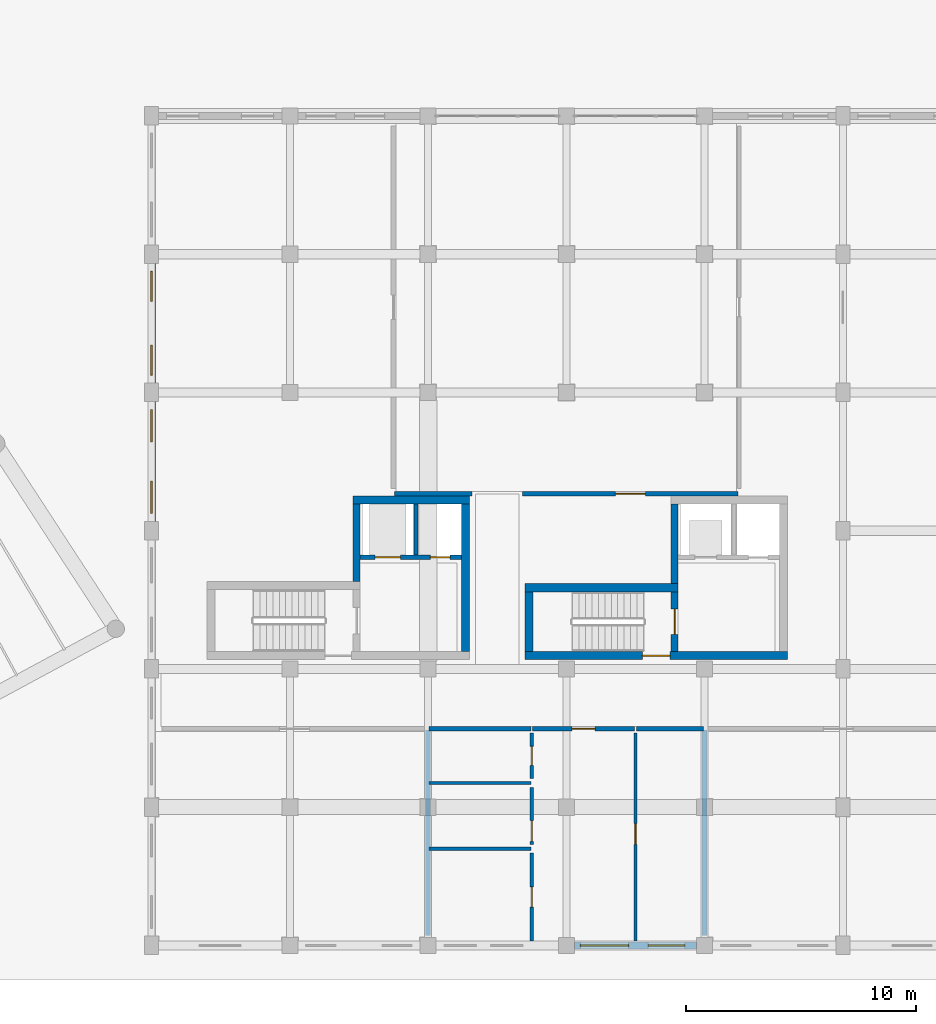
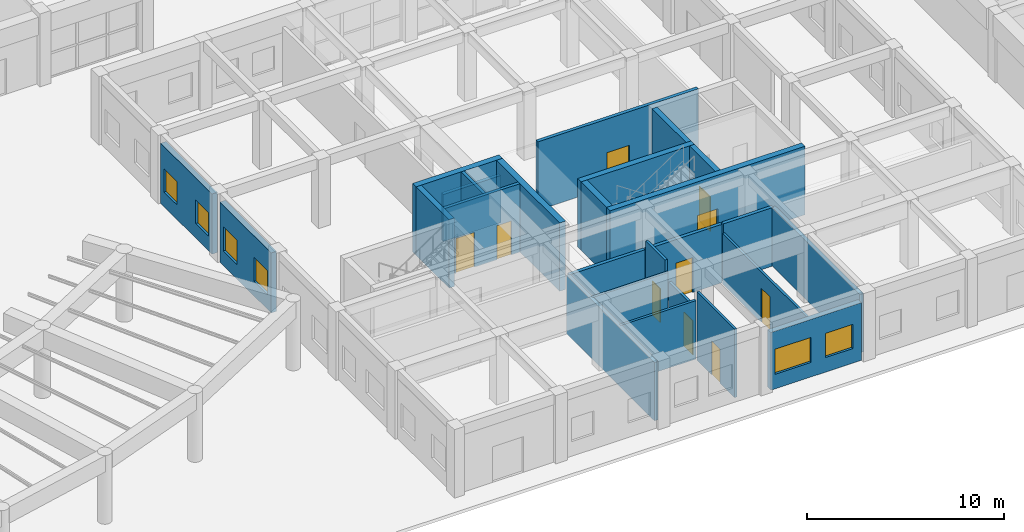
# One storey, part 51 of 76: 26 walls, 10 doors, 6 windows, 16 openings.
"""IFC4 building model written with IfcOpenShell, lengths in metres."""

from ifc_helpers import new_model, si_unit, direction, frame, frame_2d, origin, place, context, subcontext, project, spatial, rectangle, extrude, material, layer, layer_set, type_object, element, fill, save


model = new_model("IFC4")

# Units and contexts
model_context = context("Model", 3, precision=1e-05, world=origin(), true_north=direction((0.0, 1.0)))
body_context = subcontext(model_context, "Body", "Model", "MODEL_VIEW")
ifc_project = project(units=[si_unit("LENGTHUNIT", "METRE"), si_unit("AREAUNIT", "SQUARE_METRE"), si_unit("VOLUMEUNIT", "CUBIC_METRE"), si_unit("PLANEANGLEUNIT", "RADIAN"), si_unit("MASSUNIT", "GRAM", prefix="KILO"), si_unit("POWERUNIT", "WATT"), si_unit("THERMODYNAMICTEMPERATUREUNIT", "KELVIN")], contexts=[model_context])

# Site, building, storey
site_placement = place(None, origin())
site = spatial("IfcSite", under=ifc_project, at=site_placement, CompositionType="ELEMENT")
building_placement = place(site_placement, origin())
building = spatial("IfcBuilding", under=site, at=building_placement, Name="Ruvembo Vaulted Housing Court", CompositionType="ELEMENT")
storey_placement = place(building_placement, origin())
storey = spatial("IfcBuildingStorey", under=building, at=storey_placement, Name="L00", CompositionType="ELEMENT", Elevation=0.0)

# Wall
ifc_material_1 = material(Name="Concrete C35/45", Category="concrete")
ifc_layer_1 = layer(ifc_material_1, 0.300048828125, Name="Concrete C35/45")
ifc_layer_set_1 = layer_set([ifc_layer_1], Name="Concrete C35/45")
wall_type_1 = type_object("IfcWallType", Name="WL-CORE-300", PredefinedType="SHEAR", material=ifc_layer_set_1)
wall_1_placement = place(storey_placement, frame((110.89990234375, 15.800048828125, 0.0), z_axis=(0.0, 0.0, 1.0), x_axis=(0.0, 1.0, 0.0)))
element("IfcWall", 1, at=wall_1_placement, inside=storey, type_object=wall_type_1, Name="Core C1 L00 Upper West Shear Wall", PredefinedType="SHEAR", context=body_context, shape_type="SweptSolid", body=[
    extrude(rectangle(XDim=3.349853515625, YDim=0.300048828125, at=frame_2d((1.6748046875, 0.0))), origin(), (0.0, 0.0, 1.0), 4.22998046875),
])

# Wall, opening, door
wall_2_placement = place(storey_placement, frame((124.699951171875, 12.75, 0.0), z_axis=(0.0, 0.0, 1.0), x_axis=(0.0, 1.0, 0.0)))
wall_2 = element("IfcWall", 2, at=wall_2_placement, inside=storey, type_object=wall_type_1, Name="Core C2 L00 Stair-Lobby Shear Wall", PredefinedType="SHEAR", context=body_context, shape_type="SweptSolid", body=[
    extrude(rectangle(XDim=2.60009765625, YDim=0.300048828125, at=frame_2d((1.300048828125, 0.0))), origin(), (0.0, 0.0, 1.0), 4.22998046875),
])
opening_1_placement = place(wall_2_placement, frame((0.75, 0.0, 0.0)))
opening_1 = element("IfcOpeningElement", 3, at=opening_1_placement, cuts=wall_2, Name="Opening SD2", PredefinedType="OPENING", context=body_context, shape_type="SweptSolid", body=[
    extrude(rectangle(XDim=1.10009765625, YDim=2.14990234375, at=frame_2d((0.550048828125, 1.074951171875))), frame((0.0, 0.159912109375, 0.0), z_axis=(0.0, -1.0, 0.0), x_axis=(1.0, 0.0, 0.0)), (0.0, 0.0, 1.0), 0.320068359375),
])
ifc_material_2 = material(Name="Galvanised Painted Steel", Category="steel")
door_type_1 = type_object("IfcDoorType", Name="DR-STAIR-1100x2150", OperationType="NOTDEFINED", PredefinedType="DOOR", material=ifc_material_2)
door_1_placement = place(opening_1_placement, origin())
door_1 = element("IfcDoor", 4, at=door_1_placement, inside=storey, type_object=door_type_1, Name="Stair ST-C2 L00 Fire Door", OperationType="SINGLE_SWING_RIGHT", OverallHeight=2.14990234375, OverallWidth=1.10009765625, PredefinedType="DOOR", context=body_context, shape_type="SweptSolid", body=[
    extrude(rectangle(XDim=1.10009765625, YDim=2.14990234375, at=frame_2d((0.550048828125, 1.074951171875))), frame((0.0, 0.02490234375, 0.0), z_axis=(0.0, -1.0, 0.0), x_axis=(1.0, 0.0, 0.0)), (0.0, 0.0, 1.0), 0.050048828125),
])
fill(opening_1, door_1)

# Walls
wall_3_placement = place(storey_placement, frame((124.699951171875, 15.699951171875, 0.0), z_axis=(0.0, 0.0, 1.0), x_axis=(0.0, 1.0, 0.0)))
element("IfcWall", 5, at=wall_3_placement, inside=storey, type_object=wall_type_1, Name="Core C2 L00 Upper West Shear Wall", PredefinedType="SHEAR", context=body_context, shape_type="SweptSolid", body=[
    extrude(rectangle(XDim=3.449951171875, YDim=0.300048828125, at=frame_2d((1.72509765625, 0.0))), origin(), (0.0, 0.0, 1.0), 4.22998046875),
])
ifc_layer_2 = layer(ifc_material_1, 0.35009765625, Name="Concrete C35/45")
ifc_layer_set_2 = layer_set([ifc_layer_2], Name="Concrete C35/45")
wall_type_2 = type_object("IfcWallType", Name="WL-CORE-350", PredefinedType="SHEAR", material=ifc_layer_set_2)
wall_4_placement = place(storey_placement, frame((115.800048828125, 19.324951171875, 0.0), z_axis=(0.0, 0.0, 1.0), x_axis=(-1.0, 0.0, 0.0)))
element("IfcWall", 6, at=wall_4_placement, inside=storey, type_object=wall_type_2, Name="Core C1 L00 North Shear Wall", PredefinedType="SHEAR", context=body_context, shape_type="SweptSolid", body=[
    extrude(rectangle(XDim=5.050048828125, YDim=0.35009765625, at=frame_2d((2.52490234375, 0.0))), origin(), (0.0, 0.0, 1.0), 4.22998046875),
])
wall_5_placement = place(storey_placement, frame((115.625, 12.75, 0.0), z_axis=(0.0, 0.0, 1.0), x_axis=(0.0, 1.0, 0.0)))
element("IfcWall", 7, at=wall_5_placement, inside=storey, type_object=wall_type_2, Name="Core C1 L00 East Shear Wall", PredefinedType="SHEAR", context=body_context, shape_type="SweptSolid", body=[
    extrude(rectangle(XDim=6.39990234375, YDim=0.35009765625, at=frame_2d((3.199951171875, 0.0))), origin(), (0.0, 0.0, 1.0), 4.22998046875),
])

# Wall, opening, door
wall_6_placement = place(storey_placement, frame((118.199951171875, 12.574951171875, 0.0), z_axis=(0.0, 0.0, 1.0), x_axis=(1.0, 0.0, 0.0)))
wall_6 = element("IfcWall", 8, at=wall_6_placement, inside=storey, type_object=wall_type_2, Name="Core C2 L00 South Shear Wall", PredefinedType="SHEAR", context=body_context, shape_type="SweptSolid", body=[
    extrude(rectangle(XDim=11.400146484375, YDim=0.35009765625, at=frame_2d((5.7001953125, 0.0))), origin(), (0.0, 0.0, 1.0), 4.22998046875),
])
opening_2_placement = place(wall_6_placement, frame((5.10009765625, 0.0, 0.0)))
opening_2 = element("IfcOpeningElement", 9, at=opening_2_placement, cuts=wall_6, Name="Opening LD3", PredefinedType="OPENING", context=body_context, shape_type="SweptSolid", body=[
    extrude(rectangle(XDim=1.199951171875, YDim=2.14990234375, at=frame_2d((0.60009765625, 1.074951171875))), frame((0.0, 0.18505859375, 0.0), z_axis=(0.0, -1.0, 0.0), x_axis=(1.0, 0.0, 0.0)), (0.0, 0.0, 1.0), 0.3701171875),
])
door_type_2 = type_object("IfcDoorType", Name="DR-LOB-1200x2150", OperationType="NOTDEFINED", PredefinedType="DOOR", material=ifc_material_2)
door_2_placement = place(opening_2_placement, origin())
door_2 = element("IfcDoor", 10, at=door_2_placement, inside=storey, type_object=door_type_2, Name="Core C2 L00 Lobby Fire Door", OperationType="SINGLE_SWING_LEFT", OverallHeight=2.14990234375, OverallWidth=1.199951171875, PredefinedType="DOOR", context=body_context, shape_type="SweptSolid", body=[
    extrude(rectangle(XDim=1.199951171875, YDim=2.14990234375, at=frame_2d((0.60009765625, 1.074951171875))), frame((0.0, 0.02490234375, 0.0), z_axis=(0.0, -1.0, 0.0), x_axis=(1.0, 0.0, 0.0)), (0.0, 0.0, 1.0), 0.050048828125),
])
fill(opening_2, door_2)

# Walls
wall_7_placement = place(storey_placement, frame((124.85009765625, 15.52490234375, 0.0), z_axis=(0.0, 0.0, 1.0), x_axis=(-1.0, 0.0, 0.0)))
element("IfcWall", 11, at=wall_7_placement, inside=storey, type_object=wall_type_2, Name="Core C2 L00 Stair North Shear Wall", PredefinedType="SHEAR", context=body_context, shape_type="SweptSolid", body=[
    extrude(rectangle(XDim=6.650146484375, YDim=0.35009765625, at=frame_2d((3.3251953125, 0.0))), origin(), (0.0, 0.0, 1.0), 4.22998046875),
])
wall_8_placement = place(storey_placement, frame((118.375, 15.35009765625, 0.0), z_axis=(0.0, 0.0, 1.0), x_axis=(0.0, -1.0, 0.0)))
element("IfcWall", 12, at=wall_8_placement, inside=storey, type_object=wall_type_2, Name="Core C2 L00 Stair West Shear Wall", PredefinedType="SHEAR", context=body_context, shape_type="SweptSolid", body=[
    extrude(rectangle(XDim=2.60009765625, YDim=0.35009765625, at=frame_2d((1.300048828125, 0.0))), origin(), (0.0, 0.0, 1.0), 4.22998046875),
])
ifc_material_3 = material(Name="Concrete Blockwork 200", Category="masonry")
ifc_layer_3 = layer(ifc_material_3, 0.199951171875, Name="Concrete Blockwork 200")
ifc_layer_set_3 = layer_set([ifc_layer_3], Name="Concrete Blockwork 200")
wall_type_3 = type_object("IfcWallType", Name="WL-CORR-200", PredefinedType="SOLIDWALL", material=ifc_layer_set_3)
wall_9_placement = place(storey_placement, frame((112.5400390625, 19.60009765625, 0.0), z_axis=(0.0, 0.0, 1.0), x_axis=(1.0, 0.0, 0.0)))
element("IfcWall", 13, at=wall_9_placement, inside=storey, type_object=wall_type_3, Name="L00 Lobby Wall W WL-INT-L00-00123", PredefinedType="SOLIDWALL", context=body_context, shape_type="SweptSolid", body=[
    extrude(rectangle(XDim=3.369873046875, YDim=0.199951171875, at=frame_2d((1.68505859375, 0.0))), origin(), (0.0, 0.0, 1.0), 2.912109375),
])

# Wall, opening, door
wall_10_placement = place(storey_placement, frame((118.090087890625, 19.60009765625, 0.0), z_axis=(0.0, 0.0, 1.0), x_axis=(1.0, 0.0, 0.0)))
wall_10 = element("IfcWall", 14, at=wall_10_placement, inside=storey, type_object=wall_type_3, Name="L00 Block C Lobby WL-INT-L00-00124", PredefinedType="SOLIDWALL", context=body_context, shape_type="SweptSolid", body=[
    extrude(rectangle(XDim=9.369873046875, YDim=0.199951171875, at=frame_2d((4.68505859375, 0.0))), origin(), (0.0, 0.0, 1.0), 4.22998046875),
])
opening_3_placement = place(wall_10_placement, frame((4.034912109375, 0.0, 0.0)))
opening_3 = element("IfcOpeningElement", 15, at=opening_3_placement, cuts=wall_10, Name="Opening CD2", PredefinedType="OPENING", context=body_context, shape_type="SweptSolid", body=[
    extrude(rectangle(XDim=1.300048828125, YDim=2.14990234375, at=frame_2d((0.64990234375, 1.074951171875))), frame((0.0, 0.10986328125, 0.0), z_axis=(0.0, -1.0, 0.0), x_axis=(1.0, 0.0, 0.0)), (0.0, 0.0, 1.0), 0.219970703125),
])
ifc_material_4 = material(Name="FSC Hardwood and Engineered Timber", Category="wood")
door_type_3 = type_object("IfcDoorType", Name="DR-CIVIC-1300x2150", OperationType="NOTDEFINED", PredefinedType="DOOR", material=ifc_material_4)
door_3_placement = place(opening_3_placement, origin())
door_3 = element("IfcDoor", 16, at=door_3_placement, inside=storey, type_object=door_type_3, Name="L00 Block C Lobby Door DR-INT-L00-00055", OperationType="SINGLE_SWING_LEFT", OverallHeight=2.14990234375, OverallWidth=1.300048828125, PredefinedType="DOOR", context=body_context, shape_type="SweptSolid", body=[
    extrude(rectangle(XDim=1.300048828125, YDim=2.14990234375, at=frame_2d((0.64990234375, 1.074951171875))), frame((0.0, 0.02490234375, 0.0), z_axis=(0.0, -1.0, 0.0), x_axis=(1.0, 0.0, 0.0)), (0.0, 0.0, 1.0), 0.050048828125),
])
fill(opening_3, door_3)

# Wall
wall_11_placement = place(storey_placement, frame((114.0400390625, 9.39990234375, 0.0), z_axis=(0.0, 0.0, 1.0), x_axis=(1.0, 0.0, 0.0)))
element("IfcWall", 17, at=wall_11_placement, inside=storey, type_object=wall_type_3, Name="L00 Flat C01 Corridor Wall WL-INT-L00-00130", PredefinedType="SOLIDWALL", context=body_context, shape_type="SweptSolid", body=[
    extrude(rectangle(XDim=4.419921875, YDim=0.199951171875, at=frame_2d((2.2099609375, 0.0))), origin(), (0.0, 0.0, 1.0), 3.612060546875),
])

# Wall, opening, door
wall_12_placement = place(storey_placement, frame((118.5400390625, 9.39990234375, 0.0), z_axis=(0.0, 0.0, 1.0), x_axis=(1.0, 0.0, 0.0)))
wall_12 = element("IfcWall", 18, at=wall_12_placement, inside=storey, type_object=wall_type_3, Name="L00 Flat C01 Entrance WL-INT-L00-00131", PredefinedType="SOLIDWALL", context=body_context, shape_type="SweptSolid", body=[
    extrude(rectangle(XDim=4.419921875, YDim=0.199951171875, at=frame_2d((2.2099609375, 0.0))), origin(), (0.0, 0.0, 1.0), 3.612060546875),
])
opening_4_placement = place(wall_12_placement, frame((1.7099609375, 0.0, 0.0)))
opening_4 = element("IfcOpeningElement", 19, at=opening_4_placement, cuts=wall_12, Name="Opening FD1", PredefinedType="OPENING", context=body_context, shape_type="SweptSolid", body=[
    extrude(rectangle(XDim=1.0, YDim=2.14990234375, at=frame_2d((0.5, 1.074951171875))), frame((0.0, 0.10986328125, 0.0), z_axis=(0.0, -1.0, 0.0), x_axis=(1.0, 0.0, 0.0)), (0.0, 0.0, 1.0), 0.219970703125),
])
door_type_4 = type_object("IfcDoorType", Name="DR-FLAT-1000x2150", OperationType="NOTDEFINED", PredefinedType="DOOR", material=ifc_material_4)
door_4_placement = place(opening_4_placement, origin())
door_4 = element("IfcDoor", 20, at=door_4_placement, inside=storey, type_object=door_type_4, Name="L00 Flat C01 Entrance Door DR-INT-L00-00060", OperationType="SINGLE_SWING_RIGHT", OverallHeight=2.14990234375, OverallWidth=1.0, PredefinedType="DOOR", context=body_context, shape_type="SweptSolid", body=[
    extrude(rectangle(XDim=1.0, YDim=2.14990234375, at=frame_2d((0.5, 1.074951171875))), frame((0.0, 0.02490234375, 0.0), z_axis=(0.0, -1.0, 0.0), x_axis=(1.0, 0.0, 0.0)), (0.0, 0.0, 1.0), 0.050048828125),
])
fill(opening_4, door_4)

# Walls
wall_13_placement = place(storey_placement, frame((123.0400390625, 9.39990234375, 0.0), z_axis=(0.0, 0.0, 1.0), x_axis=(1.0, 0.0, 0.0)))
element("IfcWall", 21, at=wall_13_placement, inside=storey, type_object=wall_type_3, Name="L00 Flat C01 Corridor Wall 2 WL-INT-L00-00137", PredefinedType="SOLIDWALL", context=body_context, shape_type="SweptSolid", body=[
    extrude(rectangle(XDim=2.919921875, YDim=0.199951171875, at=frame_2d((1.4599609375, 0.0))), origin(), (0.0, 0.0, 1.0), 3.612060546875),
])
ifc_material_5 = material(Name="Acoustic Masonry Demising 220", Category="masonry")
ifc_layer_4 = layer(ifc_material_5, 0.219970703125, Name="Acoustic Masonry Demising 220")
ifc_layer_set_4 = layer_set([ifc_layer_4], Name="Acoustic Masonry Demising 220")
wall_type_4 = type_object("IfcWallType", Name="WL-DEM-200", PredefinedType="SOLIDWALL", material=ifc_layer_set_4)
for number, where, z_axis, x_axis, name in (
    (22, (114.0, 0.43994140625, 0.0), (0.0, 0.0, 1.0), (0.0, 1.0, 0.0), "L00 Demising WL-INT-L00-00129"),
    (23, (126.0, 0.43994140625, 0.0), (0.0, 0.0, 1.0), (0.0, 1.0, 0.0), "L00 Demising WL-INT-L00-00139"),
):
    element("IfcWall", number, at=place(storey_placement, frame(where, z_axis=z_axis, x_axis=x_axis)), inside=storey, type_object=wall_type_4, Name=name, PredefinedType="SOLIDWALL", context=body_context, shape_type="SweptSolid", body=[
        extrude(rectangle(XDim=8.920166015625, YDim=0.219970703125, at=frame_2d((4.4599609375, 0.0))), origin(), (0.0, 0.0, 1.0), 3.612060546875),
    ])

# Wall, openings, windows
ifc_material_6 = material(Name="Rendered Masonry 320", Category="masonry")
ifc_layer_5 = layer(ifc_material_6, 0.320068359375, Name="Rendered Masonry 320")
ifc_layer_set_5 = layer_set([ifc_layer_5], Name="Rendered Masonry 320")
wall_type_5 = type_object("IfcWallType", Name="WL-EXT-320", PredefinedType="STANDARD", material=ifc_layer_set_5)
wall_14_placement = place(storey_placement, frame((120.35009765625, 0.0, 0.0), z_axis=(0.0, 0.0, 1.0), x_axis=(1.0, 0.0, 0.0)))
wall_14 = element("IfcWall", 24, at=wall_14_placement, inside=storey, type_object=wall_type_5, Name="Block C L00 Exterior Wall STREET #4", PredefinedType="STANDARD", context=body_context, shape_type="SweptSolid", body=[
    extrude(rectangle(XDim=5.2998046875, YDim=0.320068359375, at=frame_2d((2.64990234375, 0.0))), origin(), (0.0, 0.0, 1.0), 3.56201171875),
])
opening_5_placement = place(wall_14_placement, frame((0.2548828125, 0.0, 0.89990234375)))
opening_5 = element("IfcOpeningElement", 25, at=opening_5_placement, cuts=wall_14, Name="Opening W25", PredefinedType="OPENING", context=body_context, shape_type="SweptSolid", body=[
    extrude(rectangle(XDim=2.10009765625, YDim=1.550048828125, at=frame_2d((1.050048828125, 0.77490234375))), frame((0.0, 0.169921875, 0.0), z_axis=(0.0, -1.0, 0.0), x_axis=(1.0, 0.0, 0.0)), (0.0, 0.0, 1.0), 0.340087890625),
])
opening_6_placement = place(wall_14_placement, frame((3.195068359375, 0.0, 0.89990234375)))
opening_6 = element("IfcOpeningElement", 26, at=opening_6_placement, cuts=wall_14, Name="Opening W20", PredefinedType="OPENING", context=body_context, shape_type="SweptSolid", body=[
    extrude(rectangle(XDim=1.60009765625, YDim=1.5, at=frame_2d((0.800048828125, 0.75))), frame((0.0, 0.169921875, 0.0), z_axis=(0.0, -1.0, 0.0), x_axis=(1.0, 0.0, 0.0)), (0.0, 0.0, 1.0), 0.340087890625),
])
ifc_material_7 = material(Name="Double Solar-Control Glazing in Aluminium Frame", Category="aluminium")
window_type_1 = type_object("IfcWindowType", Name="WIN-1600x1500", PartitioningType="SINGLE_PANEL", PredefinedType="WINDOW", material=ifc_material_7)
window_1_placement = place(opening_6_placement, origin())
window_1 = element("IfcWindow", 27, at=window_1_placement, inside=storey, type_object=window_type_1, Name="Block C L00 Window #1074", OverallHeight=1.5, OverallWidth=1.60009765625, PartitioningType="SINGLE_PANEL", PredefinedType="WINDOW", context=body_context, shape_type="SweptSolid", body=[
    extrude(rectangle(XDim=1.60009765625, YDim=1.5, at=frame_2d((0.800048828125, 0.75))), frame((0.0, 0.030029296875, 0.0), z_axis=(0.0, -1.0, 0.0), x_axis=(1.0, 0.0, 0.0)), (0.0, 0.0, 1.0), 0.06005859375),
])
fill(opening_6, window_1)
window_type_2 = type_object("IfcWindowType", Name="WIN-2100x1550", PartitioningType="SINGLE_PANEL", PredefinedType="WINDOW", material=ifc_material_7)
window_2_placement = place(opening_5_placement, origin())
window_2 = element("IfcWindow", 28, at=window_2_placement, inside=storey, type_object=window_type_2, Name="Block C L00 Window #1073", OverallHeight=1.550048828125, OverallWidth=2.10009765625, PartitioningType="SINGLE_PANEL", PredefinedType="WINDOW", context=body_context, shape_type="SweptSolid", body=[
    extrude(rectangle(XDim=2.10009765625, YDim=1.550048828125, at=frame_2d((1.050048828125, 0.77490234375))), frame((0.0, 0.030029296875, 0.0), z_axis=(0.0, -1.0, 0.0), x_axis=(1.0, 0.0, 0.0)), (0.0, 0.0, 1.0), 0.06005859375),
])
fill(opening_5, window_2)

wall_15_placement = place(storey_placement, frame((102.0, 29.60009765625, 0.0), z_axis=(0.0, 0.0, 1.0), x_axis=(0.0, -1.0, 0.0)))
wall_15 = element("IfcWall", 29, at=wall_15_placement, inside=storey, type_object=wall_type_5, Name="Block C L00 Exterior Wall WEST #2", PredefinedType="STANDARD", context=body_context, shape_type="SweptSolid", body=[
    extrude(rectangle(XDim=5.2001953125, YDim=0.320068359375, at=frame_2d((2.60009765625, 0.0))), origin(), (0.0, 0.0, 1.0), 3.7119140625),
])
opening_7_placement = place(wall_15_placement, frame((0.35009765625, 0.0, 0.89990234375)))
opening_7 = element("IfcOpeningElement", 30, at=opening_7_placement, cuts=wall_15, Name="Opening W15", PredefinedType="OPENING", context=body_context, shape_type="SweptSolid", body=[
    extrude(rectangle(XDim=1.300048828125, YDim=1.449951171875, at=frame_2d((0.64990234375, 0.72509765625))), frame((0.0, 0.169921875, 0.0), z_axis=(0.0, -1.0, 0.0), x_axis=(1.0, 0.0, 0.0)), (0.0, 0.0, 1.0), 0.340087890625),
])
opening_8_placement = place(wall_15_placement, frame((3.550048828125, 0.0, 0.89990234375)))
opening_8 = element("IfcOpeningElement", 31, at=opening_8_placement, cuts=wall_15, Name="Opening W15", PredefinedType="OPENING", context=body_context, shape_type="SweptSolid", body=[
    extrude(rectangle(XDim=1.300048828125, YDim=1.449951171875, at=frame_2d((0.64990234375, 0.72509765625))), frame((0.0, 0.169921875, 0.0), z_axis=(0.0, -1.0, 0.0), x_axis=(1.0, 0.0, 0.0)), (0.0, 0.0, 1.0), 0.340087890625),
])
window_type_3 = type_object("IfcWindowType", Name="WIN-1300x1450", PartitioningType="SINGLE_PANEL", PredefinedType="WINDOW", material=ifc_material_7)
window_3_placement = place(opening_7_placement, origin())
window_3 = element("IfcWindow", 32, at=window_3_placement, inside=storey, type_object=window_type_3, Name="Block C L00 Window #1099", OverallHeight=1.449951171875, OverallWidth=1.300048828125, PartitioningType="SINGLE_PANEL", PredefinedType="WINDOW", context=body_context, shape_type="SweptSolid", body=[
    extrude(rectangle(XDim=1.300048828125, YDim=1.449951171875, at=frame_2d((0.64990234375, 0.72509765625))), frame((0.0, 0.030029296875, 0.0), z_axis=(0.0, -1.0, 0.0), x_axis=(1.0, 0.0, 0.0)), (0.0, 0.0, 1.0), 0.06005859375),
])
fill(opening_7, window_3)
window_4_placement = place(opening_8_placement, origin())
window_4 = element("IfcWindow", 33, at=window_4_placement, inside=storey, type_object=window_type_3, Name="Block C L00 Window #1100", OverallHeight=1.449951171875, OverallWidth=1.300048828125, PartitioningType="SINGLE_PANEL", PredefinedType="WINDOW", context=body_context, shape_type="SweptSolid", body=[
    extrude(rectangle(XDim=1.300048828125, YDim=1.449951171875, at=frame_2d((0.64990234375, 0.72509765625))), frame((0.0, 0.030029296875, 0.0), z_axis=(0.0, -1.0, 0.0), x_axis=(1.0, 0.0, 0.0)), (0.0, 0.0, 1.0), 0.06005859375),
])
fill(opening_8, window_4)

wall_16_placement = place(storey_placement, frame((102.0, 23.60009765625, 0.0), z_axis=(0.0, 0.0, 1.0), x_axis=(0.0, -1.0, 0.0)))
wall_16 = element("IfcWall", 34, at=wall_16_placement, inside=storey, type_object=wall_type_5, Name="Block C L00 Exterior Wall WEST #3", PredefinedType="STANDARD", context=body_context, shape_type="SweptSolid", body=[
    extrude(rectangle(XDim=5.2001953125, YDim=0.320068359375, at=frame_2d((2.60009765625, 0.0))), origin(), (0.0, 0.0, 1.0), 3.7119140625),
])
opening_9_placement = place(wall_16_placement, frame((0.35009765625, 0.0, 0.89990234375)))
opening_9 = element("IfcOpeningElement", 35, at=opening_9_placement, cuts=wall_16, Name="Opening W17", PredefinedType="OPENING", context=body_context, shape_type="SweptSolid", body=[
    extrude(rectangle(XDim=1.39990234375, YDim=1.5, at=frame_2d((0.699951171875, 0.75))), frame((0.0, 0.169921875, 0.0), z_axis=(0.0, -1.0, 0.0), x_axis=(1.0, 0.0, 0.0)), (0.0, 0.0, 1.0), 0.340087890625),
])
opening_10_placement = place(wall_16_placement, frame((3.449951171875, 0.0, 0.89990234375)))
opening_10 = element("IfcOpeningElement", 36, at=opening_10_placement, cuts=wall_16, Name="Opening W17", PredefinedType="OPENING", context=body_context, shape_type="SweptSolid", body=[
    extrude(rectangle(XDim=1.39990234375, YDim=1.5, at=frame_2d((0.699951171875, 0.75))), frame((0.0, 0.169921875, 0.0), z_axis=(0.0, -1.0, 0.0), x_axis=(1.0, 0.0, 0.0)), (0.0, 0.0, 1.0), 0.340087890625),
])
window_type_4 = type_object("IfcWindowType", Name="WIN-1400x1500", PartitioningType="SINGLE_PANEL", PredefinedType="WINDOW", material=ifc_material_7)
window_5_placement = place(opening_9_placement, origin())
window_5 = element("IfcWindow", 37, at=window_5_placement, inside=storey, type_object=window_type_4, Name="Block C L00 Window #1101", OverallHeight=1.5, OverallWidth=1.39990234375, PartitioningType="SINGLE_PANEL", PredefinedType="WINDOW", context=body_context, shape_type="SweptSolid", body=[
    extrude(rectangle(XDim=1.39990234375, YDim=1.5, at=frame_2d((0.699951171875, 0.75))), frame((0.0, 0.030029296875, 0.0), z_axis=(0.0, -1.0, 0.0), x_axis=(1.0, 0.0, 0.0)), (0.0, 0.0, 1.0), 0.06005859375),
])
fill(opening_9, window_5)
window_6_placement = place(opening_10_placement, origin())
window_6 = element("IfcWindow", 38, at=window_6_placement, inside=storey, type_object=window_type_4, Name="Block C L00 Window #1102", OverallHeight=1.5, OverallWidth=1.39990234375, PartitioningType="SINGLE_PANEL", PredefinedType="WINDOW", context=body_context, shape_type="SweptSolid", body=[
    extrude(rectangle(XDim=1.39990234375, YDim=1.5, at=frame_2d((0.699951171875, 0.75))), frame((0.0, 0.030029296875, 0.0), z_axis=(0.0, -1.0, 0.0), x_axis=(1.0, 0.0, 0.0)), (0.0, 0.0, 1.0), 0.06005859375),
])
fill(opening_10, window_6)

# Wall, opening, door
ifc_material_8 = material(Name="Acoustic Stud Partition 135", Category="gypsum")
ifc_layer_6 = layer(ifc_material_8, 0.135009765625, Name="Acoustic Stud Partition 135")
ifc_layer_set_6 = layer_set([ifc_layer_6], Name="Acoustic Stud Partition 135")
wall_type_6 = type_object("IfcWallType", Name="WL-PART-135", PredefinedType="PARTITIONING", material=ifc_layer_set_6)
wall_17_placement = place(storey_placement, frame((118.5, 0.18994140625, 0.0), z_axis=(0.0, 0.0, 1.0), x_axis=(0.0, 1.0, 0.0)))
wall_17 = element("IfcWall", 39, at=wall_17_placement, inside=storey, type_object=wall_type_6, Name="L00 Flat C01 Bedroom 1 WL-INT-L00-00132", PredefinedType="PARTITIONING", context=body_context, shape_type="SweptSolid", body=[
    extrude(rectangle(XDim=3.820068359375, YDim=0.135009765625, at=frame_2d((1.91015625, 0.0))), origin(), (0.0, 0.0, 1.0), 4.22998046875),
])
opening_11_placement = place(wall_17_placement, frame((1.469970703125, 0.0, 0.0)))
opening_11 = element("IfcOpeningElement", 40, at=opening_11_placement, cuts=wall_17, Name="Opening ID3", PredefinedType="OPENING", context=body_context, shape_type="SweptSolid", body=[
    extrude(rectangle(XDim=0.8798828125, YDim=2.10009765625, at=frame_2d((0.43994140625, 1.050048828125))), frame((0.0, 0.077392578125, 0.0), z_axis=(0.0, -1.0, 0.0), x_axis=(1.0, 0.0, 0.0)), (0.0, 0.0, 1.0), 0.155029296875),
])
door_type_5 = type_object("IfcDoorType", Name="DR-ROOM-0880x2100", OperationType="NOTDEFINED", PredefinedType="DOOR", material=ifc_material_4)
door_5_placement = place(opening_11_placement, origin())
door_5 = element("IfcDoor", 41, at=door_5_placement, inside=storey, type_object=door_type_5, Name="L00 Flat C01 Bedroom 1 Door DR-INT-L00-00061", OperationType="SINGLE_SWING_LEFT", OverallHeight=2.10009765625, OverallWidth=0.8798828125, PredefinedType="DOOR", context=body_context, shape_type="SweptSolid", body=[
    extrude(rectangle(XDim=0.8798828125, YDim=2.10009765625, at=frame_2d((0.43994140625, 1.050048828125))), frame((0.0, 0.02490234375, 0.0), z_axis=(0.0, -1.0, 0.0), x_axis=(1.0, 0.0, 0.0)), (0.0, 0.0, 1.0), 0.050048828125),
])
fill(opening_11, door_5)

wall_18_placement = place(storey_placement, frame((123.0, 0.18994140625, 0.0), z_axis=(0.0, 0.0, 1.0), x_axis=(0.0, 1.0, 0.0)))
wall_18 = element("IfcWall", 42, at=wall_18_placement, inside=storey, type_object=wall_type_6, Name="L00 Flat C01 Bedroom 2 WL-INT-L00-00138", PredefinedType="PARTITIONING", context=body_context, shape_type="SweptSolid", body=[
    extrude(rectangle(XDim=9.02001953125, YDim=0.135009765625, at=frame_2d((4.510009765625, 0.0))), origin(), (0.0, 0.0, 1.0), 3.112060546875),
])
opening_12_placement = place(wall_18_placement, frame((4.199951171875, 0.0, 0.0)))
opening_12 = element("IfcOpeningElement", 43, at=opening_12_placement, cuts=wall_18, Name="Opening ID1", PredefinedType="OPENING", context=body_context, shape_type="SweptSolid", body=[
    extrude(rectangle(XDim=0.89990234375, YDim=2.10009765625, at=frame_2d((0.449951171875, 1.050048828125))), frame((0.0, 0.077392578125, 0.0), z_axis=(0.0, -1.0, 0.0), x_axis=(1.0, 0.0, 0.0)), (0.0, 0.0, 1.0), 0.155029296875),
])
door_type_6 = type_object("IfcDoorType", Name="DR-ROOM-0900x2100", OperationType="NOTDEFINED", PredefinedType="DOOR", material=ifc_material_4)
door_6_placement = place(opening_12_placement, origin())
door_6 = element("IfcDoor", 44, at=door_6_placement, inside=storey, type_object=door_type_6, Name="L00 Flat C01 Bedroom 2 Door DR-INT-L00-00064", OperationType="SINGLE_SWING_RIGHT", OverallHeight=2.10009765625, OverallWidth=0.89990234375, PredefinedType="DOOR", context=body_context, shape_type="SweptSolid", body=[
    extrude(rectangle(XDim=0.89990234375, YDim=2.10009765625, at=frame_2d((0.449951171875, 1.050048828125))), frame((0.0, 0.02490234375, 0.0), z_axis=(0.0, -1.0, 0.0), x_axis=(1.0, 0.0, 0.0)), (0.0, 0.0, 1.0), 0.050048828125),
])
fill(opening_12, door_6)

ifc_material_9 = material(Name="Moisture-Resistant Wet Partition 150", Category="gypsum")
ifc_layer_7 = layer(ifc_material_9, 0.14990234375, Name="Moisture-Resistant Wet Partition 150")
ifc_layer_set_7 = layer_set([ifc_layer_7], Name="Moisture-Resistant Wet Partition 150")
wall_type_7 = type_object("IfcWallType", Name="WL-PART-150", PredefinedType="PARTITIONING", material=ifc_layer_set_7)
wall_19_placement = place(storey_placement, frame((118.5, 7.239990234375, 0.0), z_axis=(0.0, 0.0, 1.0), x_axis=(0.0, 1.0, 0.0)))
wall_19 = element("IfcWall", 45, at=wall_19_placement, inside=storey, type_object=wall_type_7, Name="L00 Flat C01 Bathroom WL-INT-L00-00134", PredefinedType="PARTITIONING", context=body_context, shape_type="SweptSolid", body=[
    extrude(rectangle(XDim=1.969970703125, YDim=0.14990234375, at=frame_2d((0.98486328125, 0.0))), origin(), (0.0, 0.0, 1.0), 4.22998046875),
])
opening_13_placement = place(wall_19_placement, frame((0.574951171875, 0.0, 0.0)))
opening_13 = element("IfcOpeningElement", 46, at=opening_13_placement, cuts=wall_19, Name="Opening ID4", PredefinedType="OPENING", context=body_context, shape_type="SweptSolid", body=[
    extrude(rectangle(XDim=0.820068359375, YDim=2.080078125, at=frame_2d((0.41015625, 1.0400390625))), frame((0.0, 0.0849609375, 0.0), z_axis=(0.0, -1.0, 0.0), x_axis=(1.0, 0.0, 0.0)), (0.0, 0.0, 1.0), 0.169921875),
])
door_type_7 = type_object("IfcDoorType", Name="DR-WET-0820x2080", OperationType="NOTDEFINED", PredefinedType="DOOR", material=ifc_material_4)
door_7_placement = place(opening_13_placement, origin())
door_7 = element("IfcDoor", 47, at=door_7_placement, inside=storey, type_object=door_type_7, Name="L00 Flat C01 Bathroom Door DR-INT-L00-00063", OperationType="SINGLE_SWING_LEFT", OverallHeight=2.080078125, OverallWidth=0.820068359375, PredefinedType="DOOR", context=body_context, shape_type="SweptSolid", body=[
    extrude(rectangle(XDim=0.820068359375, YDim=2.080078125, at=frame_2d((0.41015625, 1.0400390625))), frame((0.0, 0.02490234375, 0.0), z_axis=(0.0, -1.0, 0.0), x_axis=(1.0, 0.0, 0.0)), (0.0, 0.0, 1.0), 0.050048828125),
])
fill(opening_13, door_7)

# Walls
for number, where, z_axis, x_axis, name in (
    (48, (114.0400390625, 4.199951171875, 0.0), (0.0, 0.0, 1.0), (1.0, 0.0, 0.0), "L00 Flat C01 Wet Wall 1 WL-INT-L00-00135"),
    (49, (114.0400390625, 7.050048828125, 0.0), (0.0, 0.0, 1.0), (1.0, 0.0, 0.0), "L00 Flat C01 Wet Wall 2 WL-INT-L00-00136"),
):
    element("IfcWall", number, at=place(storey_placement, frame(where, z_axis=z_axis, x_axis=x_axis)), inside=storey, type_object=wall_type_7, Name=name, PredefinedType="PARTITIONING", context=body_context, shape_type="SweptSolid", body=[
        extrude(rectangle(XDim=4.419921875, YDim=0.14990234375, at=frame_2d((2.2099609375, 0.0))), origin(), (0.0, 0.0, 1.0), 3.612060546875),
    ])

# Wall, opening, door
ifc_material_10 = material(Name="Acoustic Service Chase Wall 160", Category="gypsum")
ifc_layer_8 = layer(ifc_material_10, 0.159912109375, Name="Acoustic Service Chase Wall 160")
ifc_layer_set_8 = layer_set([ifc_layer_8], Name="Acoustic Service Chase Wall 160")
wall_type_8 = type_object("IfcWallType", Name="WL-PLUMB-160", PredefinedType="PLUMBINGWALL", material=ifc_layer_set_8)
wall_20_placement = place(storey_placement, frame((118.5, 4.389892578125, 0.0), z_axis=(0.0, 0.0, 1.0), x_axis=(0.0, 1.0, 0.0)))
wall_20 = element("IfcWall", 50, at=wall_20_placement, inside=storey, type_object=wall_type_8, Name="L00 Flat C01 Kitchen WL-INT-L00-00133", PredefinedType="PLUMBINGWALL", context=body_context, shape_type="SweptSolid", body=[
    extrude(rectangle(XDim=2.47021484375, YDim=0.159912109375, at=frame_2d((1.235107421875, 0.0))), origin(), (0.0, 0.0, 1.0), 3.112060546875),
])
opening_14_placement = place(wall_20_placement, frame((0.1298828125, 0.0, 0.0)))
opening_14 = element("IfcOpeningElement", 51, at=opening_14_placement, cuts=wall_20, Name="Opening ID1", PredefinedType="OPENING", context=body_context, shape_type="SweptSolid", body=[
    extrude(rectangle(XDim=0.89990234375, YDim=2.10009765625, at=frame_2d((0.449951171875, 1.050048828125))), frame((0.0, 0.08984375, 0.0), z_axis=(0.0, -1.0, 0.0), x_axis=(1.0, 0.0, 0.0)), (0.0, 0.0, 1.0), 0.179931640625),
])
door_8_placement = place(opening_14_placement, origin())
door_8 = element("IfcDoor", 52, at=door_8_placement, inside=storey, type_object=door_type_6, Name="L00 Flat C01 Kitchen Door DR-INT-L00-00062", OperationType="SINGLE_SWING_RIGHT", OverallHeight=2.10009765625, OverallWidth=0.89990234375, PredefinedType="DOOR", context=body_context, shape_type="SweptSolid", body=[
    extrude(rectangle(XDim=0.89990234375, YDim=2.10009765625, at=frame_2d((0.449951171875, 1.050048828125))), frame((0.0, 0.02490234375, 0.0), z_axis=(0.0, -1.0, 0.0), x_axis=(1.0, 0.0, 0.0)), (0.0, 0.0, 1.0), 0.050048828125),
])
fill(opening_14, door_8)

# Wall, openings, doors
ifc_material_11 = material(Name="Fire-Rated Masonry Shaft 180", Category="masonry")
ifc_layer_9 = layer(ifc_material_11, 0.179931640625, Name="Fire-Rated Masonry Shaft 180")
ifc_layer_set_9 = layer_set([ifc_layer_9], Name="Fire-Rated Masonry Shaft 180")
wall_type_9 = type_object("IfcWallType", Name="WL-SHAFT-180", PredefinedType="SOLIDWALL", material=ifc_layer_set_9)
wall_21_placement = place(storey_placement, frame((111.050048828125, 16.85009765625, 0.0), z_axis=(0.0, 0.0, 1.0), x_axis=(1.0, 0.0, 0.0)))
wall_21 = element("IfcWall", 53, at=wall_21_placement, inside=storey, type_object=wall_type_9, Name="Core C1 L00 Lift and Riser Front Wall", PredefinedType="SOLIDWALL", context=body_context, shape_type="SweptSolid", body=[
    extrude(rectangle(XDim=4.39990234375, YDim=0.179931640625, at=frame_2d((2.199951171875, 0.0))), origin(), (0.0, 0.0, 1.0), 4.22998046875),
])
opening_15_placement = place(wall_21_placement, frame((0.64990234375, 0.0, 0.0)))
opening_15 = element("IfcOpeningElement", 54, at=opening_15_placement, cuts=wall_21, Name="Opening LD-LP-C1-L00", PredefinedType="OPENING", context=body_context, shape_type="SweptSolid", body=[
    extrude(rectangle(XDim=1.10009765625, YDim=2.14990234375, at=frame_2d((0.550048828125, 1.074951171875))), frame((0.0, 0.099853515625, 0.0), z_axis=(0.0, -1.0, 0.0), x_axis=(1.0, 0.0, 0.0)), (0.0, 0.0, 1.0), 0.199951171875),
])
opening_16_placement = place(wall_21_placement, frame((3.050048828125, 0.0, 0.0)))
opening_16 = element("IfcOpeningElement", 55, at=opening_16_placement, cuts=wall_21, Name="Opening RD1", PredefinedType="OPENING", context=body_context, shape_type="SweptSolid", body=[
    extrude(rectangle(XDim=0.85009765625, YDim=2.10009765625, at=frame_2d((0.425048828125, 1.050048828125))), frame((0.0, 0.099853515625, 0.0), z_axis=(0.0, -1.0, 0.0), x_axis=(1.0, 0.0, 0.0)), (0.0, 0.0, 1.0), 0.199951171875),
])
ifc_material_12 = material(Name="Brushed Stainless Steel 304", Category="steel")
door_type_8 = type_object("IfcDoorType", Name="DR-LIFT-1100x2150", OperationType="NOTDEFINED", PredefinedType="DOOR", material=ifc_material_12)
door_9_placement = place(opening_15_placement, origin())
door_9 = element("IfcDoor", 56, at=door_9_placement, inside=storey, type_object=door_type_8, Name="Lift LP-C1 L00 Sliding Landing Door", OperationType="SLIDING_TO_LEFT", OverallHeight=2.14990234375, OverallWidth=1.10009765625, PredefinedType="DOOR", context=body_context, shape_type="SweptSolid", body=[
    extrude(rectangle(XDim=1.10009765625, YDim=2.14990234375, at=frame_2d((0.550048828125, 1.074951171875))), frame((0.0, 0.02490234375, 0.0), z_axis=(0.0, -1.0, 0.0), x_axis=(1.0, 0.0, 0.0)), (0.0, 0.0, 1.0), 0.050048828125),
])
fill(opening_15, door_9)
door_type_9 = type_object("IfcDoorType", Name="DR-RISER-0850x2100", OperationType="NOTDEFINED", PredefinedType="DOOR", material=ifc_material_2)
door_10_placement = place(opening_16_placement, frame((0.85009765625, 0.0, 0.0), z_axis=(0.0, 0.0, 1.0), x_axis=(-1.0, 0.0, 0.0)))
door_10 = element("IfcDoor", 57, at=door_10_placement, inside=storey, type_object=door_type_9, Name="Core C1 L00 Service Riser Door", OperationType="SINGLE_SWING_RIGHT", OverallHeight=2.10009765625, OverallWidth=0.85009765625, PredefinedType="DOOR", context=body_context, shape_type="SweptSolid", body=[
    extrude(rectangle(XDim=0.85009765625, YDim=2.10009765625, at=frame_2d((0.425048828125, 1.050048828125))), frame((0.0, 0.02490234375, 0.0), z_axis=(0.0, -1.0, 0.0), x_axis=(1.0, 0.0, 0.0)), (0.0, 0.0, 1.0), 0.050048828125),
])
fill(opening_16, door_10)

# Wall
wall_22_placement = place(storey_placement, frame((113.469970703125, 16.93994140625, 0.0), z_axis=(0.0, 0.0, 1.0), x_axis=(0.0, 1.0, 0.0)))
element("IfcWall", 58, at=wall_22_placement, inside=storey, type_object=wall_type_9, Name="Core C1 L00 Shaft-Riser Divider Wall", PredefinedType="SOLIDWALL", context=body_context, shape_type="SweptSolid", body=[
    extrude(rectangle(XDim=2.2099609375, YDim=0.179931640625, at=frame_2d((1.10498046875, 0.0))), origin(), (0.0, 0.0, 1.0), 4.22998046875),
])

save(model, "model.ifc")
